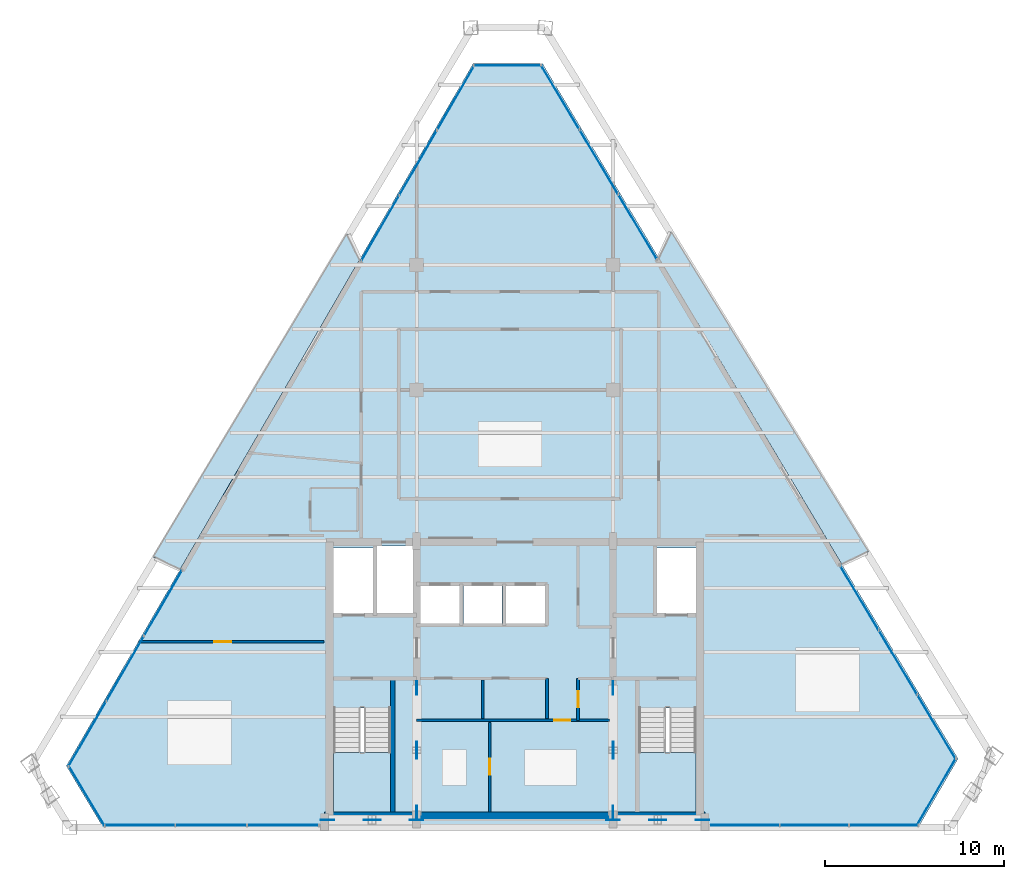
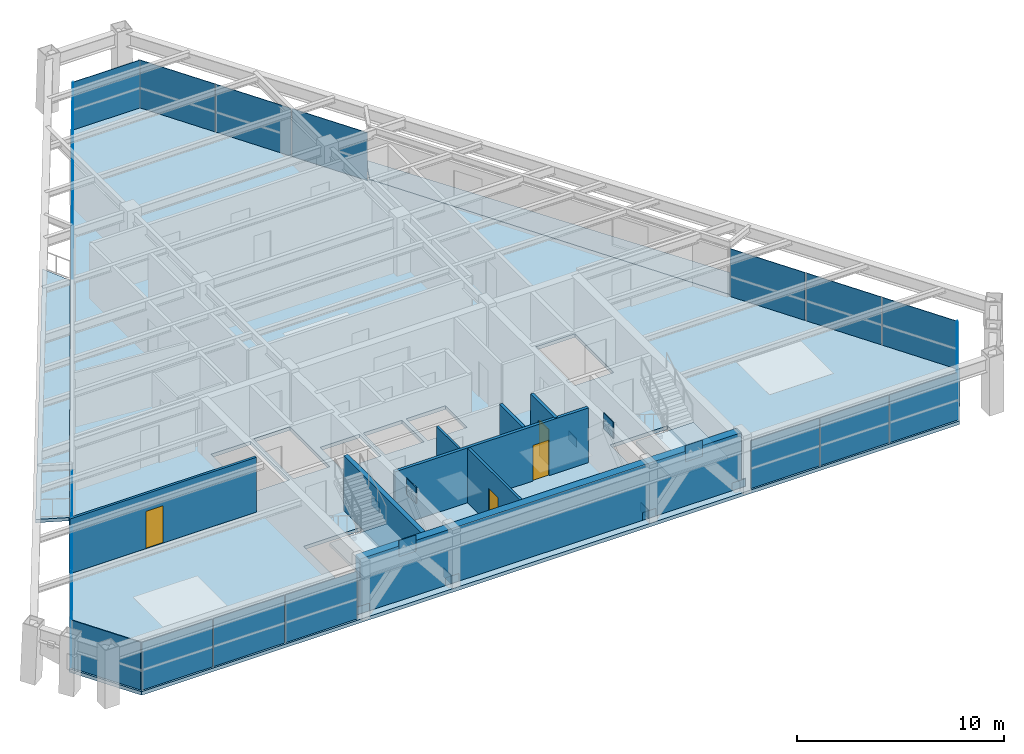
# One storey, part 8 of 13: 33 plates, 8 walls, 5 slabs, 4 doors, 4 openings, 11 elements without a shape of their own.
"""IFC4 building model written with IfcOpenShell, lengths in metres."""

from ifc_helpers import new_model, si_unit, direction, frame, frame_2d, origin, origin_2d, place, context, subcontext, project, spatial, polyline, rectangle, outline, extrude, source, transform, mapped, material, layer, layer_set, type_object, type_shapes, element, fill, aggregate, save


model = new_model("IFC4")

# Units and contexts
model_context = context("Model", 3, precision=1e-05, world=origin(), true_north=direction((0.0, 1.0)))
body_context = subcontext(model_context, "Body", "Model", "MODEL_VIEW")
ifc_project = project(units=[si_unit("LENGTHUNIT", "METRE"), si_unit("AREAUNIT", "SQUARE_METRE"), si_unit("VOLUMEUNIT", "CUBIC_METRE"), si_unit("PLANEANGLEUNIT", "RADIAN"), si_unit("MASSUNIT", "GRAM", prefix="KILO")], contexts=[model_context])

# Site, building, storey
site_placement = place(None, origin())
site = spatial("IfcSite", under=ifc_project, at=site_placement, CompositionType="ELEMENT")
building_placement = place(site_placement, origin())
building = spatial("IfcBuilding", under=site, at=building_placement, Name="Varnakhor Terracotta Tower", CompositionType="ELEMENT")
storey_placement = place(building_placement, frame((0.0, 0.0, 269.550048828125)))
storey = spatial("IfcBuildingStorey", under=building, at=storey_placement, Name="L70", CompositionType="ELEMENT", Elevation=269.550048828125)

# Slab
ifc_material_1 = material(Name="Concrete C40/50", Category="concrete")
ifc_layer_1 = layer(ifc_material_1, 0.2099609375, Name="Concrete C40/50")
ifc_layer_set_1 = layer_set([ifc_layer_1], Name="Concrete C40/50")
slab_type_1 = type_object("IfcSlabType", Name="SLB-HTL-210", PredefinedType="FLOOR", material=ifc_layer_set_1)
slab_1_placement = place(storey_placement, frame((0.0, 0.0, -0.2099609375)))
element("IfcSlab", 1, at=slab_1_placement, inside=storey, type_object=slab_type_1, Name="L70 Structural Floor Slab", PredefinedType="FLOOR", context=body_context, shape_type="SweptSolid", body=[
    extrude(outline(polyline([(-25.122314453125, 3.44189453125), (-2.3369140625, 42.78076171875), (1.546142578125, 42.78076171875), (24.818359375, 3.84423828125), (22.591796875, 0.0), (-23.065185546875, 0.0), (-25.122314453125, 3.44189453125)]), holes=[polyline([(-6.949951171875, 0.85009765625), (-6.949951171875, 6.695068359375), (-10.14990234375, 6.695068359375), (-10.14990234375, 0.85009765625), (-6.949951171875, 0.85009765625)]), polyline([(10.14990234375, 0.85009765625), (10.14990234375, 6.695068359375), (6.949951171875, 6.695068359375), (6.949951171875, 0.85009765625), (10.14990234375, 0.85009765625)]), polyline([(-3.10009765625, 11.419921875), (-3.10009765625, 13.52001953125), (-5.300048828125, 13.52001953125), (-5.300048828125, 11.419921875), (-3.10009765625, 11.419921875)]), polyline([(-0.719970703125, 11.419921875), (-0.719970703125, 13.52001953125), (-2.8798828125, 13.52001953125), (-2.8798828125, 11.419921875), (-0.719970703125, 11.419921875)]), polyline([(1.699951171875, 11.419921875), (1.699951171875, 13.52001953125), (-0.5, 13.52001953125), (-0.5, 11.419921875), (1.699951171875, 11.419921875)]), polyline([(-7.949951171875, 11.8798828125), (-7.949951171875, 15.64990234375), (-10.14990234375, 15.64990234375), (-10.14990234375, 11.8798828125), (-7.949951171875, 11.8798828125)]), polyline([(10.14990234375, 11.8798828125), (10.14990234375, 15.64990234375), (7.949951171875, 15.64990234375), (7.949951171875, 11.8798828125), (10.14990234375, 11.8798828125)]), polyline([(-5.699951171875, 11.8798828125), (-5.699951171875, 15.75), (-7.72998046875, 15.75), (-7.72998046875, 11.8798828125), (-5.699951171875, 11.8798828125)])]), origin(), (0.0, 0.0, 1.0), 0.2099609375),
])

# Stair, slab
stair_type = type_object("IfcStairType", Name="STR-CORE-HOTEL-1500", PredefinedType="HALF_TURN_STAIR", material=ifc_material_1)
stair_1_placement = place(storey_placement, origin())
stair_1 = element("IfcStair", 2, at=stair_1_placement, inside=storey, type_object=stair_type, Name="L70 Core Exit Stair ST-1", PredefinedType="HALF_TURN_STAIR")
ifc_layer_2 = layer(ifc_material_1, 0.179931640625, Name="Concrete C40/50")
ifc_layer_set_2 = layer_set([ifc_layer_2], Name="Concrete C40/50")
slab_type_2 = type_object("IfcSlabType", Name="SLB-LANDING-180", PredefinedType="LANDING", material=ifc_layer_set_2)
slab_2_placement = place(storey_placement, frame((0.0, 0.0, 1.52490234375)))
slab_2 = element("IfcSlab", 3, at=slab_2_placement, type_object=slab_type_2, Name="ST-1 landing 1", PredefinedType="LANDING", context=body_context, shape_type="SweptSolid", body=[
    extrude(outline(polyline([(-10.14990234375, 4.18994140625), (-10.14990234375, 0.85009765625), (-6.949951171875, 0.85009765625), (-6.949951171875, 4.18994140625), (-10.14990234375, 4.18994140625)])), origin(), (0.0, 0.0, 1.0), 0.199951171875),
])
aggregate(stair_1, [slab_2])

stair_2_placement = place(storey_placement, origin())
stair_2 = element("IfcStair", 4, at=stair_2_placement, inside=storey, type_object=stair_type, Name="L70 Core Exit Stair ST-2", PredefinedType="HALF_TURN_STAIR")
slab_3_placement = place(storey_placement, frame((0.0, 0.0, 1.52490234375)))
slab_3 = element("IfcSlab", 5, at=slab_3_placement, type_object=slab_type_2, Name="ST-2 landing 1", PredefinedType="LANDING", context=body_context, shape_type="SweptSolid", body=[
    extrude(outline(polyline([(6.949951171875, 4.18994140625), (6.949951171875, 0.85009765625), (10.14990234375, 0.85009765625), (10.14990234375, 4.18994140625), (6.949951171875, 4.18994140625)])), origin(), (0.0, 0.0, 1.0), 0.199951171875),
])
aggregate(stair_2, [slab_3])

# Slabs
ifc_layer_3 = layer(ifc_material_1, 0.195068359375, Name="Concrete C40/50")
ifc_layer_set_3 = layer_set([ifc_layer_3], Name="Concrete C40/50")
slab_type_3 = type_object("IfcSlabType", Name="SLB-LOGGIA-EXT-195", PredefinedType="FLOOR", material=ifc_layer_set_3)
slab_4_placement = place(storey_placement, frame((0.0, 0.0, -0.195068359375)))
element("IfcSlab", 6, at=slab_4_placement, inside=storey, type_object=slab_type_3, Name="L70 E Recessed Outdoor Loggia Slab", PredefinedType="FLOOR", context=body_context, shape_type="SweptSolid", body=[
    extrude(outline(polyline([(8.740478515625, 33.36572265625), (19.798095703125, 15.4345703125), (18.302001953125, 14.746337890625), (8.0625, 31.87841796875), (8.740478515625, 33.36572265625)])), origin(), (0.0, 0.0, 1.0), 0.195068359375),
])
slab_5_placement = place(storey_placement, frame((0.0, 0.0, -0.195068359375)))
element("IfcSlab", 7, at=slab_5_placement, inside=storey, type_object=slab_type_3, Name="L70 W Recessed Outdoor Loggia Slab", PredefinedType="FLOOR", context=body_context, shape_type="SweptSolid", body=[
    extrude(outline(polyline([(-20.252197265625, 15.13134765625), (-9.400146484375, 33.248046875), (-8.716796875, 31.765869140625), (-13.729736328125, 23.111328125), (-18.742431640625, 14.456787109375), (-20.252197265625, 15.13134765625)])), origin(), (0.0, 0.0, 1.0), 0.195068359375),
])

# Plates
ifc_material_2 = material(Name="Steel S460", Category="steel")
ifc_layer_4 = layer(ifc_material_2, 0.050048828125, Name="Steel S460")
ifc_layer_set_4 = layer_set([ifc_layer_4], Name="Steel S460")
plate_type_1 = type_object("IfcPlateType", Name="PLT-GUSSET-50", PredefinedType="USERDEFINED", material=ifc_layer_set_4)
shared_shape_1 = source(origin(), body_context, "Body", "SweptSolid", [
    extrude(rectangle(XDim=0.75, YDim=0.0400390625, at=origin_2d()), origin(), (0.0, 0.0, 1.0), 0.550048828125),
])
type_shapes(plate_type_1, [shared_shape_1])
for number, where, z_axis, x_axis, name in (
    (8, (-10.5, 0.419921875, -0.09521484375), (0.0, 0.0, 1.0), (1.0, 0.0, 0.0), "L70 Core Brace Embed Plate CSWA"),
    (9, (-5.5, 0.419921875, -0.09521484375), (0.0, 0.0, 1.0), (1.0, 0.0, 0.0), "L70 Core Brace Embed Plate CSWB"),
    (10, (5.5, 0.419921875, -0.09521484375), (0.0, 0.0, 1.0), (1.0, 0.0, 0.0), "L70 Core Brace Embed Plate CSEA"),
    (11, (10.5, 0.419921875, -0.09521484375), (0.0, 0.0, 1.0), (1.0, 0.0, 0.0), "L70 Core Brace Embed Plate CSEB"),
    (12, (-5.5, 0.85009765625, -0.09521484375), (0.0, 0.0, 1.0), (0.0, 1.0, 0.0), "L70 Core Brace Embed Plate CWWA"),
    (13, (-5.5, 7.800048828125, -0.09521484375), (0.0, 0.0, 1.0), (0.0, 1.0, 0.0), "L70 Core Brace Embed Plate CWWB"),
    (14, (5.5, 0.85009765625, -0.09521484375), (0.0, 0.0, 1.0), (0.0, 1.0, 0.0), "L70 Core Brace Embed Plate CWEA"),
    (15, (5.5, 7.800048828125, -0.09521484375), (0.0, 0.0, 1.0), (0.0, 1.0, 0.0), "L70 Core Brace Embed Plate CWEB"),
):
    element("IfcPlate", number, at=place(storey_placement, frame(where, z_axis=z_axis, x_axis=x_axis)), inside=storey, type_object=plate_type_1, Name=name, ObjectType="GUSSET PLATE", PredefinedType="USERDEFINED", context=body_context, shape_type="MappedRepresentation", body=[
        mapped(shared_shape_1, transform((0.0, 0.0, 0.0), scale=1.0)),
    ])
shared_shape_2 = source(origin(), body_context, "Body", "SweptSolid", [
    extrude(rectangle(XDim=0.949951171875, YDim=0.044921875, at=origin_2d()), origin(), (0.0, 0.0, 1.0), 0.949951171875),
])
for number, where, z_axis, x_axis, name in (
    (16, (-8.0, 0.419921875, 2.61474609375), (0.0, 0.0, 1.0), (1.0, 0.0, 0.0), "L70 Core Brace Apex Gusset CSW"),
    (17, (8.0, 0.419921875, 2.61474609375), (0.0, 0.0, 1.0), (1.0, 0.0, 0.0), "L70 Core Brace Apex Gusset CSE"),
    (18, (-5.5, 4.324951171875, 2.61474609375), (0.0, 0.0, 1.0), (0.0, 1.0, 0.0), "L70 Core Brace Apex Gusset CWW"),
    (19, (5.5, 4.324951171875, 2.61474609375), (0.0, 0.0, 1.0), (0.0, 1.0, 0.0), "L70 Core Brace Apex Gusset CWE"),
):
    element("IfcPlate", number, at=place(storey_placement, frame(where, z_axis=z_axis, x_axis=x_axis)), inside=storey, type_object=plate_type_1, Name=name, ObjectType="GUSSET PLATE", PredefinedType="USERDEFINED", context=body_context, shape_type="MappedRepresentation", body=[
        mapped(shared_shape_2, transform((0.0, 0.0, 0.0), scale=1.0)),
    ])

# Curtain wall, plates
ifc_material_3 = material(Name="Anodised Aluminium Curtain Wall System", Category="aluminium")
curtain_wall_type = type_object("IfcCurtainWallType", Name="CW-SYS-HOTEL-LOGGIA", PredefinedType="NOTDEFINED", material=ifc_material_3)
curtain_wall_1_placement = place(storey_placement, origin())
curtain_wall_1 = element("IfcCurtainWall", 20, at=curtain_wall_1_placement, inside=storey, type_object=curtain_wall_type, Name="L70 W Facet Curtain Wall 1", PredefinedType="NOTDEFINED")
ifc_material_4 = material(Name="Solar-Control Low-E Insulated Glass Panel", Category="glass")
ifc_layer_5 = layer(ifc_material_4, 0.033935546875, Name="Solar-Control Low-E Insulated Glass Panel")
ifc_layer_set_5 = layer_set([ifc_layer_5], Name="Solar-Control Low-E Insulated Glass Panel")
plate_type_2 = type_object("IfcPlateType", Name="CWP-04", PredefinedType="CURTAIN_PANEL", material=ifc_layer_set_5)
shared_shape_3 = source(origin(), body_context, "Body", "SweptSolid", [
    extrude(rectangle(XDim=4.18310546875, YDim=0.035888671875, at=origin_2d()), origin(), (0.0, 0.0, 1.0), 2.820068359375),
])
plate_1_placement = place(storey_placement, frame((-23.9453125, 5.23486328125, 0.0), z_axis=(0.0, 0.0, 1.0), x_axis=(0.501208711795, 0.86532642813, 0.0)))
plate_1 = element("IfcPlate", 21, at=plate_1_placement, type_object=plate_type_2, Name="L70 W Facet Curtain Wall 1 Glazed Panel 1", PredefinedType="CURTAIN_PANEL", context=body_context, shape_type="MappedRepresentation", body=[
    mapped(shared_shape_3, transform((0.0, 0.0, 0.0), scale=1.0)),
])
plate_2_placement = place(storey_placement, frame((-21.82861328125, 8.889404296875, 0.0), z_axis=(0.0, 0.0, 1.0), x_axis=(0.501208711795, 0.86532642813, 0.0)))
plate_2 = element("IfcPlate", 22, at=plate_2_placement, type_object=plate_type_2, Name="L70 W Facet Curtain Wall 1 Glazed Panel 2", PredefinedType="CURTAIN_PANEL", context=body_context, shape_type="MappedRepresentation", body=[
    mapped(shared_shape_3, transform((0.0, 0.0, 0.0), scale=1.0)),
])
plate_3_placement = place(storey_placement, frame((-19.7119140625, 12.54345703125, 0.0), z_axis=(0.0, 0.0, 1.0), x_axis=(0.501208711795, 0.86532642813, 0.0)))
plate_3 = element("IfcPlate", 23, at=plate_3_placement, type_object=plate_type_2, Name="L70 W Facet Curtain Wall 1 Glazed Panel 3", PredefinedType="CURTAIN_PANEL", context=body_context, shape_type="MappedRepresentation", body=[
    mapped(shared_shape_3, transform((0.0, 0.0, 0.0), scale=1.0)),
])
aggregate(curtain_wall_1, [plate_1, plate_2, plate_3])

curtain_wall_2_placement = place(storey_placement, origin())
curtain_wall_2 = element("IfcCurtainWall", 24, at=curtain_wall_2_placement, inside=storey, type_object=curtain_wall_type, Name="L70 W Facet Curtain Wall 2", PredefinedType="NOTDEFINED")
plate_4_placement = place(storey_placement, frame((-7.53955078125, 33.558837890625, 0.0), z_axis=(0.0, 0.0, 1.0), x_axis=(0.501208711795, 0.86532642813, 0.0)))
plate_4 = element("IfcPlate", 25, at=plate_4_placement, type_object=plate_type_2, Name="L70 W Facet Curtain Wall 2 Glazed Panel 1", PredefinedType="CURTAIN_PANEL", context=body_context, shape_type="MappedRepresentation", body=[
    mapped(shared_shape_3, transform((0.0, 0.0, 0.0), scale=1.0)),
])
plate_5_placement = place(storey_placement, frame((-5.423095703125, 37.213134765625, 0.0), z_axis=(0.0, 0.0, 1.0), x_axis=(0.501208711795, 0.86532642813, 0.0)))
plate_5 = element("IfcPlate", 26, at=plate_5_placement, type_object=plate_type_2, Name="L70 W Facet Curtain Wall 2 Glazed Panel 2", PredefinedType="CURTAIN_PANEL", context=body_context, shape_type="MappedRepresentation", body=[
    mapped(shared_shape_3, transform((0.0, 0.0, 0.0), scale=1.0)),
])
plate_6_placement = place(storey_placement, frame((-3.306396484375, 40.867431640625, 0.0), z_axis=(0.0, 0.0, 1.0), x_axis=(0.501208711795, 0.86532642813, 0.0)))
plate_6 = element("IfcPlate", 27, at=plate_6_placement, type_object=plate_type_2, Name="L70 W Facet Curtain Wall 2 Glazed Panel 3", PredefinedType="CURTAIN_PANEL", context=body_context, shape_type="MappedRepresentation", body=[
    mapped(shared_shape_3, transform((0.0, 0.0, 0.0), scale=1.0)),
])
aggregate(curtain_wall_2, [plate_4, plate_5, plate_6])

# Curtain wall, plate
curtain_wall_3_placement = place(storey_placement, origin())
curtain_wall_3 = element("IfcCurtainWall", 28, at=curtain_wall_3_placement, inside=storey, type_object=curtain_wall_type, Name="L70 Facet Curtain Wall 2", PredefinedType="NOTDEFINED")
shared_shape_4 = source(origin(), body_context, "Body", "SweptSolid", [
    extrude(rectangle(XDim=3.783203125, YDim=0.035888671875, at=origin_2d()), origin(), (0.0, 0.0, 1.0), 2.820068359375),
])
plate_7_placement = place(storey_placement, frame((-0.3955078125, 42.66064453125, 0.0), z_axis=(0.0, 0.0, 1.0), x_axis=(1.0, 0.0, 0.0)))
plate_7 = element("IfcPlate", 29, at=plate_7_placement, type_object=plate_type_2, Name="L70 Facet Curtain Wall 2 Glazed Panel 1", PredefinedType="CURTAIN_PANEL", context=body_context, shape_type="MappedRepresentation", body=[
    mapped(shared_shape_4, transform((0.0, 0.0, 0.0), scale=1.0)),
])
aggregate(curtain_wall_3, [plate_7])

# Curtain wall, plates
curtain_wall_4_placement = place(storey_placement, origin())
curtain_wall_4 = element("IfcCurtainWall", 30, at=curtain_wall_4_placement, inside=storey, type_object=curtain_wall_type, Name="L70 E Facet Curtain Wall 1", PredefinedType="NOTDEFINED")
shared_shape_5 = source(origin(), body_context, "Body", "SweptSolid", [
    extrude(rectangle(XDim=4.173583984375, YDim=0.035888671875, at=origin_2d()), origin(), (0.0, 0.0, 1.0), 2.820068359375),
])
plate_8_placement = place(storey_placement, frame((2.53955078125, 40.885009765625, 0.0), z_axis=(0.0, 0.0, 1.0), x_axis=(0.513031975704, -0.858369496141, 0.0)))
plate_8 = element("IfcPlate", 31, at=plate_8_placement, type_object=plate_type_2, Name="L70 E Facet Curtain Wall 1 Glazed Panel 1", PredefinedType="CURTAIN_PANEL", context=body_context, shape_type="MappedRepresentation", body=[
    mapped(shared_shape_5, transform((0.0, 0.0, 0.0), scale=1.0)),
])
plate_9_placement = place(storey_placement, frame((4.701416015625, 37.26806640625, 0.0), z_axis=(0.0, 0.0, 1.0), x_axis=(0.513031975704, -0.858369496141, 0.0)))
plate_9 = element("IfcPlate", 32, at=plate_9_placement, type_object=plate_type_2, Name="L70 E Facet Curtain Wall 1 Glazed Panel 2", PredefinedType="CURTAIN_PANEL", context=body_context, shape_type="MappedRepresentation", body=[
    mapped(shared_shape_5, transform((0.0, 0.0, 0.0), scale=1.0)),
])
plate_10_placement = place(storey_placement, frame((6.863037109375, 33.651123046875, 0.0), z_axis=(0.0, 0.0, 1.0), x_axis=(0.513031975704, -0.858369496141, 0.0)))
plate_10 = element("IfcPlate", 33, at=plate_10_placement, type_object=plate_type_2, Name="L70 E Facet Curtain Wall 1 Glazed Panel 3", PredefinedType="CURTAIN_PANEL", context=body_context, shape_type="MappedRepresentation", body=[
    mapped(shared_shape_5, transform((0.0, 0.0, 0.0), scale=1.0)),
])
aggregate(curtain_wall_4, [plate_8, plate_9, plate_10])

curtain_wall_5_placement = place(storey_placement, origin())
curtain_wall_5 = element("IfcCurtainWall", 34, at=curtain_wall_5_placement, inside=storey, type_object=curtain_wall_type, Name="L70 E Facet Curtain Wall 2", PredefinedType="NOTDEFINED")
plate_11_placement = place(storey_placement, frame((19.29541015625, 12.8505859375, 0.0), z_axis=(0.0, 0.0, 1.0), x_axis=(0.513031975704, -0.858369496141, 0.0)))
plate_11 = element("IfcPlate", 35, at=plate_11_placement, type_object=plate_type_2, Name="L70 E Facet Curtain Wall 2 Glazed Panel 1", PredefinedType="CURTAIN_PANEL", context=body_context, shape_type="MappedRepresentation", body=[
    mapped(shared_shape_5, transform((0.0, 0.0, 0.0), scale=1.0)),
])
plate_12_placement = place(storey_placement, frame((21.457275390625, 9.23388671875, 0.0), z_axis=(0.0, 0.0, 1.0), x_axis=(0.513031975704, -0.858369496141, 0.0)))
plate_12 = element("IfcPlate", 36, at=plate_12_placement, type_object=plate_type_2, Name="L70 E Facet Curtain Wall 2 Glazed Panel 2", PredefinedType="CURTAIN_PANEL", context=body_context, shape_type="MappedRepresentation", body=[
    mapped(shared_shape_5, transform((0.0, 0.0, 0.0), scale=1.0)),
])
plate_13_placement = place(storey_placement, frame((23.618896484375, 5.61669921875, 0.0), z_axis=(0.0, 0.0, 1.0), x_axis=(0.513031975704, -0.858369496141, 0.0)))
plate_13 = element("IfcPlate", 37, at=plate_13_placement, type_object=plate_type_2, Name="L70 E Facet Curtain Wall 2 Glazed Panel 3", PredefinedType="CURTAIN_PANEL", context=body_context, shape_type="MappedRepresentation", body=[
    mapped(shared_shape_5, transform((0.0, 0.0, 0.0), scale=1.0)),
])
aggregate(curtain_wall_5, [plate_11, plate_12, plate_13])

# Curtain wall, plate
curtain_wall_6_placement = place(storey_placement, origin())
curtain_wall_6 = element("IfcCurtainWall", 38, at=curtain_wall_6_placement, inside=storey, type_object=curtain_wall_type, Name="L70 Facet Curtain Wall 4", PredefinedType="NOTDEFINED")
shared_shape_6 = source(origin(), body_context, "Body", "SweptSolid", [
    extrude(rectangle(XDim=4.342529296875, YDim=0.035888671875, at=origin_2d()), origin(), (0.0, 0.0, 1.0), 2.820068359375),
])
plate_14_placement = place(storey_placement, frame((23.601318359375, 1.982421875, 0.0), z_axis=(0.0, 0.0, 1.0), x_axis=(-0.501208711795, -0.86532642813, 0.0)))
plate_14 = element("IfcPlate", 39, at=plate_14_placement, type_object=plate_type_2, Name="L70 Facet Curtain Wall 4 Glazed Panel 1", PredefinedType="CURTAIN_PANEL", context=body_context, shape_type="MappedRepresentation", body=[
    mapped(shared_shape_6, transform((0.0, 0.0, 0.0), scale=1.0)),
])
aggregate(curtain_wall_6, [plate_14])

# Curtain wall, plates
curtain_wall_7_placement = place(storey_placement, origin())
curtain_wall_7 = element("IfcCurtainWall", 40, at=curtain_wall_7_placement, inside=storey, type_object=curtain_wall_type, Name="L70 South Wing Curtain Wall SSE", PredefinedType="NOTDEFINED")
shared_shape_7 = source(origin(), body_context, "Body", "SweptSolid", [
    extrude(rectangle(XDim=3.83056640625, YDim=0.035888671875, at=origin_2d()), origin(), (0.0, 0.0, 1.0), 2.820068359375),
])
plate_15_placement = place(storey_placement, frame((20.646484375, 0.1201171875, 0.0), z_axis=(0.0, 0.0, 1.0), x_axis=(-1.0, 0.0, 0.0)))
plate_15 = element("IfcPlate", 41, at=plate_15_placement, type_object=plate_type_2, Name="L70 South Wing Curtain Wall SSE Glazed Panel 1", PredefinedType="CURTAIN_PANEL", context=body_context, shape_type="MappedRepresentation", body=[
    mapped(shared_shape_7, transform((0.0, 0.0, 0.0), scale=1.0)),
])
plate_16_placement = place(storey_placement, frame((16.77587890625, 0.1201171875, 0.0), z_axis=(0.0, 0.0, 1.0), x_axis=(-1.0, 0.0, 0.0)))
plate_16 = element("IfcPlate", 42, at=plate_16_placement, type_object=plate_type_2, Name="L70 South Wing Curtain Wall SSE Glazed Panel 2", PredefinedType="CURTAIN_PANEL", context=body_context, shape_type="MappedRepresentation", body=[
    mapped(shared_shape_7, transform((0.0, 0.0, 0.0), scale=1.0)),
])
plate_17_placement = place(storey_placement, frame((12.9052734375, 0.1201171875, 0.0), z_axis=(0.0, 0.0, 1.0), x_axis=(-1.0, 0.0, 0.0)))
plate_17 = element("IfcPlate", 43, at=plate_17_placement, type_object=plate_type_2, Name="L70 South Wing Curtain Wall SSE Glazed Panel 3", PredefinedType="CURTAIN_PANEL", context=body_context, shape_type="MappedRepresentation", body=[
    mapped(shared_shape_7, transform((0.0, 0.0, 0.0), scale=1.0)),
])
aggregate(curtain_wall_7, [plate_15, plate_16, plate_17])

curtain_wall_8_placement = place(storey_placement, origin())
curtain_wall_8 = element("IfcCurtainWall", 44, at=curtain_wall_8_placement, inside=storey, type_object=curtain_wall_type, Name="L70 South Wing Curtain Wall SSW", PredefinedType="NOTDEFINED")
shared_shape_8 = source(origin(), body_context, "Body", "SweptSolid", [
    extrude(rectangle(XDim=3.98828125, YDim=0.035888671875, at=origin_2d()), origin(), (0.0, 0.0, 1.0), 2.820068359375),
])
plate_18_placement = place(storey_placement, frame((-12.984130859375, 0.1201171875, 0.0), z_axis=(0.0, 0.0, 1.0), x_axis=(-1.0, 0.0, 0.0)))
plate_18 = element("IfcPlate", 45, at=plate_18_placement, type_object=plate_type_2, Name="L70 South Wing Curtain Wall SSW Glazed Panel 1", PredefinedType="CURTAIN_PANEL", context=body_context, shape_type="MappedRepresentation", body=[
    mapped(shared_shape_8, transform((0.0, 0.0, 0.0), scale=1.0)),
])
plate_19_placement = place(storey_placement, frame((-17.0126953125, 0.1201171875, 0.0), z_axis=(0.0, 0.0, 1.0), x_axis=(-1.0, 0.0, 0.0)))
plate_19 = element("IfcPlate", 46, at=plate_19_placement, type_object=plate_type_2, Name="L70 South Wing Curtain Wall SSW Glazed Panel 2", PredefinedType="CURTAIN_PANEL", context=body_context, shape_type="MappedRepresentation", body=[
    mapped(shared_shape_8, transform((0.0, 0.0, 0.0), scale=1.0)),
])
plate_20_placement = place(storey_placement, frame((-21.041015625, 0.1201171875, 0.0), z_axis=(0.0, 0.0, 1.0), x_axis=(-1.0, 0.0, 0.0)))
plate_20 = element("IfcPlate", 47, at=plate_20_placement, type_object=plate_type_2, Name="L70 South Wing Curtain Wall SSW Glazed Panel 3", PredefinedType="CURTAIN_PANEL", context=body_context, shape_type="MappedRepresentation", body=[
    mapped(shared_shape_8, transform((0.0, 0.0, 0.0), scale=1.0)),
])
aggregate(curtain_wall_8, [plate_18, plate_19, plate_20])

# Curtain wall, plate
curtain_wall_9_placement = place(storey_placement, origin())
curtain_wall_9 = element("IfcCurtainWall", 48, at=curtain_wall_9_placement, inside=storey, type_object=curtain_wall_type, Name="L70 Facet Curtain Wall 6", PredefinedType="NOTDEFINED")
shared_shape_9 = source(origin(), body_context, "Body", "SweptSolid", [
    extrude(rectangle(XDim=3.909912109375, YDim=0.035888671875, at=origin_2d()), origin(), (0.0, 0.0, 1.0), 2.820068359375),
])
plate_21_placement = place(storey_placement, frame((-23.99072265625, 1.782470703125, 0.0), z_axis=(0.0, 0.0, 1.0), x_axis=(-0.513046957, 0.858360541913, 0.0)))
plate_21 = element("IfcPlate", 49, at=plate_21_placement, type_object=plate_type_2, Name="L70 Facet Curtain Wall 6 Glazed Panel 1", PredefinedType="CURTAIN_PANEL", context=body_context, shape_type="MappedRepresentation", body=[
    mapped(shared_shape_9, transform((0.0, 0.0, 0.0), scale=1.0)),
])
aggregate(curtain_wall_9, [plate_21])

# Wall
ifc_material_5 = material(Name="Concrete C50/60", Category="concrete")
ifc_layer_6 = layer(ifc_material_5, 0.449951171875, Name="Concrete C50/60")
ifc_layer_set_6 = layer_set([ifc_layer_6], Name="Concrete C50/60")
wall_type_1 = type_object("IfcWallType", Name="WAL-CORE-450", PredefinedType="SHEAR", material=ifc_layer_set_6)
wall_1_placement = place(storey_placement, frame((-10.64990234375, 0.625, 0.0), z_axis=(0.0, 0.0, 1.0), x_axis=(1.0, 0.0, 0.0)))
element("IfcWall", 50, at=wall_1_placement, inside=storey, type_object=wall_type_1, Name="L70 South Core Shear Wall", PredefinedType="SHEAR", context=body_context, shape_type="SweptSolid", body=[
    extrude(rectangle(XDim=21.2998046875, YDim=0.449951171875, at=frame_2d((10.64990234375, 0.0))), origin(), (0.0, 0.0, 1.0), 3.239990234375),
])

# Wall, opening, door
ifc_material_6 = material(Name="Acoustic Hotel Room Partition", Category="gypsum")
ifc_layer_7 = layer(ifc_material_6, 0.1298828125, Name="Acoustic Hotel Room Partition")
ifc_layer_set_7 = layer_set([ifc_layer_7], Name="Acoustic Hotel Room Partition")
wall_type_2 = type_object("IfcWallType", Name="WAL-PART-130", PredefinedType="PARTITIONING", material=ifc_layer_set_7)
wall_2_placement = place(storey_placement, frame((-21.080810546875, 10.39990234375, 0.0), z_axis=(0.0, 0.0, 1.0), x_axis=(1.0, 0.0, 0.0)))
wall_2 = element("IfcWall", 51, at=wall_2_placement, inside=storey, type_object=wall_type_2, Name="L70 SW Key Split 1", PredefinedType="PARTITIONING", context=body_context, shape_type="SweptSolid", body=[
    extrude(rectangle(XDim=10.40087890625, YDim=0.1298828125, at=frame_2d((5.200439453125, 0.0))), origin(), (0.0, 0.0, 1.0), 3.23193359375),
])
opening_1_placement = place(wall_2_placement, frame((4.2392578125, 0.0, 0.0)))
opening_1 = element("IfcOpeningElement", 52, at=opening_1_placement, cuts=wall_2, Name="Opening DR-94", PredefinedType="OPENING", context=body_context, shape_type="SweptSolid", body=[
    extrude(rectangle(XDim=0.949951171875, YDim=2.199951171875, at=frame_2d((0.47509765625, 1.10009765625))), frame((0.0, 0.074951171875, 0.0), z_axis=(0.0, -1.0, 0.0), x_axis=(1.0, 0.0, 0.0)), (0.0, 0.0, 1.0), 0.14990234375),
])
ifc_material_7 = material(Name="Acoustic Glazed-Vision Timber Office Door", Category="wood")
door_type_1 = type_object("IfcDoorType", Name="DR-OFF-950X2200", OperationType="NOTDEFINED", PredefinedType="DOOR", material=ifc_material_7)
shared_shape_10 = source(origin(), body_context, "Body", "SweptSolid", [
    extrude(rectangle(XDim=0.949951171875, YDim=2.199951171875, at=frame_2d((0.47509765625, 1.10009765625))), frame((0.0, 0.02490234375, 0.0), z_axis=(0.0, -1.0, 0.0), x_axis=(1.0, 0.0, 0.0)), (0.0, 0.0, 1.0), 0.050048828125),
])
type_shapes(door_type_1, [shared_shape_10])
door_1_placement = place(opening_1_placement, origin())
door_1 = element("IfcDoor", 53, at=door_1_placement, inside=storey, type_object=door_type_1, Name="L70 SW Suite Connect Door 1", OperationType="SINGLE_SWING_LEFT", OverallHeight=2.199951171875, OverallWidth=0.949951171875, PredefinedType="DOOR", context=body_context, shape_type="MappedRepresentation", body=[
    mapped(shared_shape_10, transform((0.0, 0.0, 0.0), scale=1.0)),
])
fill(opening_1, door_1)

# Walls
ifc_layer_8 = layer(ifc_material_1, 0.25, Name="Concrete C40/50")
ifc_layer_set_8 = layer_set([ifc_layer_8], Name="Concrete C40/50")
wall_type_3 = type_object("IfcWallType", Name="WAL-SHAFT-250", PredefinedType="SOLIDWALL", material=ifc_layer_set_8)
wall_3_placement = place(storey_placement, frame((-6.85009765625, 0.85009765625, 0.0), z_axis=(0.0, 0.0, 1.0), x_axis=(0.0, 1.0, 0.0)))
element("IfcWall", 54, at=wall_3_placement, inside=storey, type_object=wall_type_3, Name="L70 Stair ST-1 Bearing Shaft Wall", PredefinedType="SOLIDWALL", context=body_context, shape_type="SweptSolid", body=[
    extrude(rectangle(XDim=7.5, YDim=0.25, at=frame_2d((3.75, 0.0))), origin(), (0.0, 0.0, 1.0), 3.239990234375),
])
ifc_material_8 = material(Name="Acoustic Fire-Rated Partition", Category="gypsum")
ifc_layer_9 = layer(ifc_material_8, 0.114990234375, Name="Acoustic Fire-Rated Partition")
ifc_layer_set_9 = layer_set([ifc_layer_9], Name="Acoustic Fire-Rated Partition")
wall_type_4 = type_object("IfcWallType", Name="WAL-TENANCY-115", PredefinedType="PARTITIONING", material=ifc_layer_set_9)
wall_4_placement = place(storey_placement, frame((-1.800048828125, 6.10009765625, 0.0), z_axis=(0.0, 0.0, 1.0), x_axis=(0.0, 1.0, 0.0)))
element("IfcWall", 55, at=wall_4_placement, inside=storey, type_object=wall_type_4, Name="L70 Reclaimed Mid-Core Split Wall", PredefinedType="PARTITIONING", context=body_context, shape_type="SweptSolid", body=[
    extrude(rectangle(XDim=2.14990234375, YDim=0.114990234375, at=frame_2d((1.074951171875, 0.0))), origin(), (0.0, 0.0, 1.0), 3.23193359375),
])

# Wall, opening, door
ifc_layer_10 = layer(ifc_material_8, 0.139892578125, Name="Acoustic Fire-Rated Partition")
ifc_layer_set_10 = layer_set([ifc_layer_10], Name="Acoustic Fire-Rated Partition")
wall_type_5 = type_object("IfcWallType", Name="WAL-TENANCY-140", PredefinedType="PARTITIONING", material=ifc_layer_set_10)
wall_5_placement = place(storey_placement, frame((-1.39990234375, 0.85009765625, 0.0), z_axis=(0.0, 0.0, 1.0), x_axis=(0.0, 1.0, 0.0)))
wall_5 = element("IfcWall", 56, at=wall_5_placement, inside=storey, type_object=wall_type_5, Name="L70 Reclaimed Core Bay Split Wall", PredefinedType="PARTITIONING", context=body_context, shape_type="SweptSolid", body=[
    extrude(rectangle(XDim=5.02978515625, YDim=0.139892578125, at=frame_2d((2.514892578125, 0.0))), origin(), (0.0, 0.0, 1.0), 3.23193359375),
])
opening_2_placement = place(wall_5_placement, frame((2.10009765625, 0.0, 0.0)))
opening_2 = element("IfcOpeningElement", 57, at=opening_2_placement, cuts=wall_5, Name="Opening DR-67", PredefinedType="OPENING", context=body_context, shape_type="SweptSolid", body=[
    extrude(rectangle(XDim=0.89990234375, YDim=2.10009765625, at=frame_2d((0.449951171875, 1.050048828125))), frame((0.0, 0.080078125, 0.0), z_axis=(0.0, -1.0, 0.0), x_axis=(1.0, 0.0, 0.0)), (0.0, 0.0, 1.0), 0.159912109375),
])
ifc_material_9 = material(Name="Steel Service Riser Fire Door", Category="steel")
door_type_2 = type_object("IfcDoorType", Name="DR-RISER-900X2100", OperationType="NOTDEFINED", PredefinedType="DOOR", material=ifc_material_9)
shared_shape_11 = source(origin(), body_context, "Body", "SweptSolid", [
    extrude(rectangle(XDim=0.89990234375, YDim=2.10009765625, at=frame_2d((0.449951171875, 1.050048828125))), frame((0.0, 0.02490234375, 0.0), z_axis=(0.0, -1.0, 0.0), x_axis=(1.0, 0.0, 0.0)), (0.0, 0.0, 1.0), 0.050048828125),
])
type_shapes(door_type_2, [shared_shape_11])
door_2_placement = place(opening_2_placement, origin())
door_2 = element("IfcDoor", 58, at=door_2_placement, inside=storey, type_object=door_type_2, Name="L70 Core Inner Service Door", OperationType="SINGLE_SWING_RIGHT", OverallHeight=2.10009765625, OverallWidth=0.89990234375, PredefinedType="DOOR", context=body_context, shape_type="MappedRepresentation", body=[
    mapped(shared_shape_11, transform((0.0, 0.0, 0.0), scale=1.0)),
])
fill(opening_2, door_2)

ifc_layer_11 = layer(ifc_material_8, 0.1650390625, Name="Acoustic Fire-Rated Partition")
ifc_layer_set_11 = layer_set([ifc_layer_11], Name="Acoustic Fire-Rated Partition")
wall_type_6 = type_object("IfcWallType", Name="WAL-TENANCY-165", PredefinedType="PARTITIONING", material=ifc_layer_set_11)
wall_6_placement = place(storey_placement, frame((-5.5, 6.0, 0.0), z_axis=(0.0, 0.0, 1.0), x_axis=(1.0, 0.0, 0.0)))
wall_6 = element("IfcWall", 59, at=wall_6_placement, inside=storey, type_object=wall_type_6, Name="L70 Reclaimed Core Bay North Rated Wall", PredefinedType="PARTITIONING", context=body_context, shape_type="SweptSolid", body=[
    extrude(rectangle(XDim=10.800048828125, YDim=0.1650390625, at=frame_2d((5.39990234375, 0.0))), origin(), (0.0, 0.0, 1.0), 3.23193359375),
])
opening_3_placement = place(wall_6_placement, frame((7.699951171875, 0.0, 0.0)))
opening_3 = element("IfcOpeningElement", 60, at=opening_3_placement, cuts=wall_6, Name="Opening DR-67", PredefinedType="OPENING", context=body_context, shape_type="SweptSolid", body=[
    extrude(rectangle(XDim=0.89990234375, YDim=2.10009765625, at=frame_2d((0.449951171875, 1.050048828125))), frame((0.0, 0.092529296875, 0.0), z_axis=(0.0, -1.0, 0.0), x_axis=(1.0, 0.0, 0.0)), (0.0, 0.0, 1.0), 0.18505859375),
])
door_3_placement = place(opening_3_placement, origin())
door_3 = element("IfcDoor", 61, at=door_3_placement, inside=storey, type_object=door_type_2, Name="L70 Core Reclaimed Suite Door", OperationType="SINGLE_SWING_LEFT", OverallHeight=2.10009765625, OverallWidth=0.89990234375, PredefinedType="DOOR", context=body_context, shape_type="MappedRepresentation", body=[
    mapped(shared_shape_11, transform((0.0, 0.0, 0.0), scale=1.0)),
])
fill(opening_3, door_3)

wall_7_placement = place(storey_placement, frame((3.5400390625, 6.0, 0.0), z_axis=(0.0, 0.0, 1.0), x_axis=(0.0, 1.0, 0.0)))
wall_7 = element("IfcWall", 62, at=wall_7_placement, inside=storey, type_object=wall_type_6, Name="L70 Accessible WC Rated Wall", PredefinedType="PARTITIONING", context=body_context, shape_type="SweptSolid", body=[
    extrude(rectangle(XDim=2.340087890625, YDim=0.1650390625, at=frame_2d((1.169921875, 0.0))), origin(), (0.0, 0.0, 1.0), 3.23193359375),
])
opening_4_placement = place(wall_7_placement, frame((0.719970703125, 0.0, 0.0)))
opening_4 = element("IfcOpeningElement", 63, at=opening_4_placement, cuts=wall_7, Name="Opening DR-67", PredefinedType="OPENING", context=body_context, shape_type="SweptSolid", body=[
    extrude(rectangle(XDim=0.89990234375, YDim=2.10009765625, at=frame_2d((0.449951171875, 1.050048828125))), frame((0.0, 0.092529296875, 0.0), z_axis=(0.0, -1.0, 0.0), x_axis=(1.0, 0.0, 0.0)), (0.0, 0.0, 1.0), 0.18505859375),
])
door_4_placement = place(opening_4_placement, origin())
door_4 = element("IfcDoor", 64, at=door_4_placement, inside=storey, type_object=door_type_2, Name="L70 Accessible WC Door", OperationType="SINGLE_SWING_LEFT", OverallHeight=2.10009765625, OverallWidth=0.89990234375, PredefinedType="DOOR", context=body_context, shape_type="MappedRepresentation", body=[
    mapped(shared_shape_11, transform((0.0, 0.0, 0.0), scale=1.0)),
])
fill(opening_4, door_4)

# Wall
wall_8_placement = place(storey_placement, frame((1.800048828125, 6.10009765625, 0.0), z_axis=(0.0, 0.0, 1.0), x_axis=(0.0, 1.0, 0.0)))
element("IfcWall", 65, at=wall_8_placement, inside=storey, type_object=wall_type_6, Name="L70 Reclaimed Mid-Core East Wall", PredefinedType="PARTITIONING", context=body_context, shape_type="SweptSolid", body=[
    extrude(rectangle(XDim=2.25, YDim=0.1650390625, at=frame_2d((1.125, 0.0))), origin(), (0.0, 0.0, 1.0), 3.23193359375),
])

save(model, "model.ifc")
